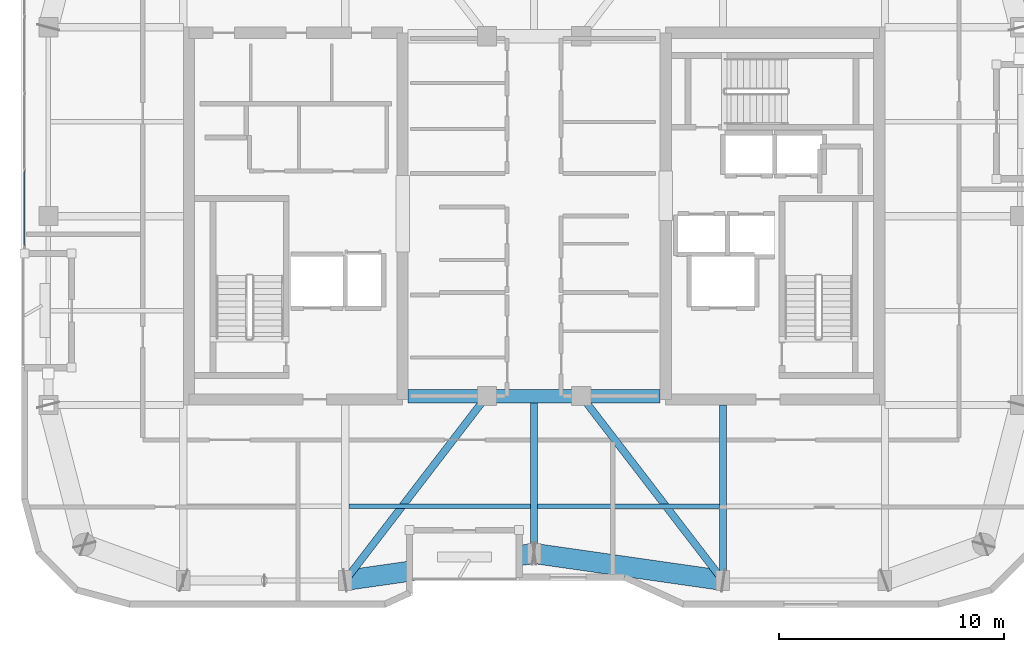
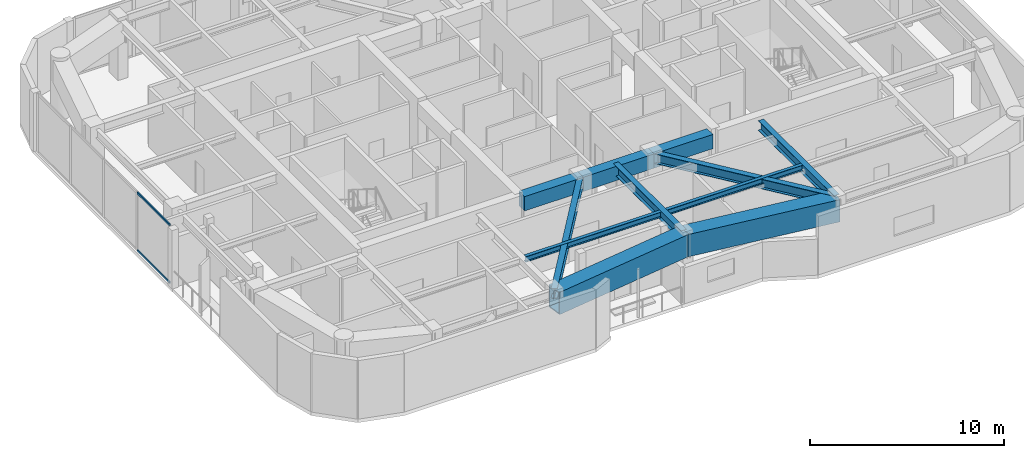
# One storey, part 3 of 16: 11 beams, 2 members, 1 element without a shape of its own.
"""IFC4 building model written with IfcOpenShell, lengths in metres."""

from ifc_helpers import new_model, si_unit, direction, frame, origin, origin_2d, place, context, subcontext, project, spatial, rectangle, hollow_rectangle, i_section, extrude, material, layer, layer_set, material_profile, profile_set, type_object, element, aggregate, save


model = new_model("IFC4")

# Units and contexts
model_context = context("Model", 3, precision=1e-05, world=origin(), true_north=direction((0.0, 1.0)))
body_context = subcontext(model_context, "Body", "Model", "MODEL_VIEW")
ifc_project = project(units=[si_unit("LENGTHUNIT", "METRE"), si_unit("AREAUNIT", "SQUARE_METRE"), si_unit("VOLUMEUNIT", "CUBIC_METRE"), si_unit("PLANEANGLEUNIT", "RADIAN"), si_unit("MASSUNIT", "GRAM", prefix="KILO")], contexts=[model_context])

# Site, building, storey
site_placement = place(None, origin())
site = spatial("IfcSite", under=ifc_project, at=site_placement, CompositionType="ELEMENT")
building_placement = place(site_placement, origin())
building = spatial("IfcBuilding", under=site, at=building_placement, Name="Kiyonajd Concourse Tower", CompositionType="ELEMENT")
storey_placement = place(building_placement, frame((0.0, 0.0, 325.800048828125)))
storey = spatial("IfcBuildingStorey", under=building, at=storey_placement, Name="L82", CompositionType="ELEMENT", Elevation=325.800048828125)

# Beams
ifc_material_1 = material(Name="Concrete C60/75", Category="concrete")
ifc_material_profile_1 = material_profile(ifc_material_1, rectangle(XDim=0.60009765625, YDim=0.89990234375, at=origin_2d()), Name="RCBM-600x900")
ifc_profile_set_1 = profile_set([ifc_material_profile_1], Name="Concrete C60/75")
beam_type_1 = type_object("IfcBeamType", Name="BM-COUP-900", PredefinedType="LINTEL", material=ifc_profile_set_1)
beam_1_placement = place(storey_placement, frame((42.39990234375, 28.0, 3.22998046875), z_axis=(1.0, 0.0, 0.0), x_axis=(0.0, 1.0, 0.0)))
element("IfcBeam", 1, at=beam_1_placement, inside=storey, type_object=beam_type_1, Name="L82 Core Coupling Beam S1", PredefinedType="LINTEL", context=body_context, shape_type="SweptSolid", body=[
    extrude(rectangle(XDim=0.60009765625, YDim=0.89990234375, at=origin_2d()), origin(), (0.0, 0.0, 1.0), 3.5),
])
beam_2_placement = place(storey_placement, frame((45.89990234375, 28.0, 3.22998046875), z_axis=(1.0, 0.0, 0.0), x_axis=(0.0, 1.0, 0.0)))
element("IfcBeam", 2, at=beam_2_placement, inside=storey, type_object=beam_type_1, Name="L82 Core Coupling Beam S2", PredefinedType="LINTEL", context=body_context, shape_type="SweptSolid", body=[
    extrude(rectangle(XDim=0.60009765625, YDim=0.89990234375, at=origin_2d()), origin(), (0.0, 0.0, 1.0), 4.2001953125),
])
beam_3_placement = place(storey_placement, frame((50.10009765625, 28.0, 3.22998046875), z_axis=(1.0, 0.0, 0.0), x_axis=(0.0, 1.0, 0.0)))
element("IfcBeam", 3, at=beam_3_placement, inside=storey, type_object=beam_type_1, Name="L82 Core Coupling Beam S3", PredefinedType="LINTEL", context=body_context, shape_type="SweptSolid", body=[
    extrude(rectangle(XDim=0.60009765625, YDim=0.89990234375, at=origin_2d()), origin(), (0.0, 0.0, 1.0), 3.5),
])
ifc_material_2 = material(Name="Steel ASTM A992 Grade 50", Category="steel")
ifc_material_profile_2 = material_profile(ifc_material_2, i_section(OverallWidth=0.205078125, OverallDepth=0.35400390625, WebThickness=0.009521484375, FlangeThickness=0.016845703125, at=origin_2d()), Name="W360X79")
ifc_profile_set_2 = profile_set([ifc_material_profile_2], Name="Steel ASTM A992 Grade 50")
beam_type_2 = type_object("IfcBeamType", Name="BM-JST-360", PredefinedType="JOIST", material=ifc_profile_set_2)
for number, where, z_axis, x_axis, name in (
    (4, (39.761962890625, 23.10009765625, 3.5029296875), (1.0, 0.0, 0.0), (0.0, 1.0, 0.0), "L82 Secondary Floor Joist"),
    (5, (48.162109375, 23.10009765625, 3.5029296875), (1.0, 0.0, 0.0), (0.0, 1.0, 0.0), "L82 Secondary Floor Joist"),
):
    element("IfcBeam", number, at=place(storey_placement, frame(where, z_axis=z_axis, x_axis=x_axis)), inside=storey, type_object=beam_type_2, Name=name, PredefinedType="JOIST", context=body_context, shape_type="SweptSolid", body=[
        extrude(i_section(OverallWidth=0.205078125, OverallDepth=0.35400390625, WebThickness=0.009521484375, FlangeThickness=0.016845703125, at=origin_2d()), origin(), (0.0, 0.0, 1.0), 8.075927734375),
    ])
ifc_material_profile_3 = material_profile(ifc_material_2, i_section(OverallWidth=0.326904296875, OverallDepth=0.6220703125, WebThickness=0.015380859375, FlangeThickness=0.0244140625, at=origin_2d()), Name="W610X195")
ifc_profile_set_3 = profile_set([ifc_material_profile_3], Name="Steel ASTM A992 Grade 50")
beam_type_3 = type_object("IfcBeamType", Name="BM-TWR-610A", PredefinedType="BEAM", material=ifc_profile_set_3)
for number, where, z_axis, x_axis, name in (
    (6, (39.60009765625, 19.800048828125, 3.368896484375), (0.609233709922, 0.792990722956, 0.0), (-0.792990722956, 0.609233709922, 0.0), "L82 Core Tie Girder"),
    (7, (50.10009765625, 28.0, 3.368896484375), (0.609233709922, -0.792990722956, 0.0), (0.792990722956, 0.609233709922, 0.0), "L82 Core Tie Girder"),
):
    element("IfcBeam", number, at=place(storey_placement, frame(where, z_axis=z_axis, x_axis=x_axis)), inside=storey, type_object=beam_type_3, Name=name, PredefinedType="BEAM", context=body_context, shape_type="SweptSolid", body=[
        extrude(i_section(OverallWidth=0.326904296875, OverallDepth=0.6220703125, WebThickness=0.015380859375, FlangeThickness=0.0244140625, at=origin_2d()), origin(), (0.0, 0.0, 1.0), 10.340576171875),
    ])
ifc_material_profile_4 = material_profile(ifc_material_2, i_section(OverallWidth=0.323974609375, OverallDepth=0.611083984375, WebThickness=0.0126953125, FlangeThickness=0.01904296875, at=origin_2d()), Name="W610X155")
ifc_profile_set_4 = profile_set([ifc_material_profile_4], Name="Steel ASTM A992 Grade 50")
beam_type_4 = type_object("IfcBeamType", Name="BM-TWR-610B", PredefinedType="BEAM", material=ifc_profile_set_4)
beam_4_placement = place(storey_placement, frame((56.39990234375, 19.800048828125, 3.37451171875), z_axis=(0.0, 1.0, 0.0), x_axis=(-1.0, 0.0, 0.0)))
element("IfcBeam", 8, at=beam_4_placement, inside=storey, type_object=beam_type_4, Name="L82 South Lease Girder", PredefinedType="BEAM", context=body_context, shape_type="SweptSolid", body=[
    extrude(i_section(OverallWidth=0.323974609375, OverallDepth=0.611083984375, WebThickness=0.0126953125, FlangeThickness=0.01904296875, at=origin_2d()), origin(), (0.0, 0.0, 1.0), 7.800048828125),
])
beam_5_placement = place(storey_placement, frame((48.0, 21.0, 3.37451171875), z_axis=(0.0, 1.0, 0.0), x_axis=(-1.0, 0.0, 0.0)))
element("IfcBeam", 9, at=beam_5_placement, inside=storey, type_object=beam_type_4, Name="L82 South Ribbon Girder", PredefinedType="BEAM", context=body_context, shape_type="SweptSolid", body=[
    extrude(i_section(OverallWidth=0.323974609375, OverallDepth=0.611083984375, WebThickness=0.0126953125, FlangeThickness=0.01904296875, at=origin_2d()), origin(), (0.0, 0.0, 1.0), 7.0),
])
ifc_material_3 = material(Name="Steel ASTM A572 Grade 50", Category="steel")
ifc_material_profile_5 = material_profile(ifc_material_3, hollow_rectangle(XDim=0.89990234375, YDim=1.39990234375, WallThickness=0.070068359375, at=origin_2d()), Name="BOX-1400x900x70")
ifc_profile_set_5 = profile_set([ifc_material_profile_5], Name="Steel ASTM A572 Grade 50")
beam_type_5 = type_object("IfcBeamType", Name="BM-XFER-1400", PredefinedType="BEAM", material=ifc_profile_set_5)
for number, where, z_axis, x_axis, name in (
    (10, (39.60009765625, 19.800048828125, 2.97998046875), (0.989950069105, 0.141417328072, 0.0), (-0.141417328072, 0.989950069105, 0.0), "L82 Perimeter Bundled Tube Spandrel"),
    (11, (48.0, 21.0, 2.97998046875), (0.989950069105, -0.141417328072, 0.0), (0.141417328072, 0.989950069105, 0.0), "L82 Perimeter Bundled Tube Spandrel"),
):
    element("IfcBeam", number, at=place(storey_placement, frame(where, z_axis=z_axis, x_axis=x_axis)), inside=storey, type_object=beam_type_5, Name=name, PredefinedType="BEAM", context=body_context, shape_type="SweptSolid", body=[
        extrude(hollow_rectangle(XDim=0.89990234375, YDim=1.39990234375, WallThickness=0.070068359375, at=origin_2d()), origin(), (0.0, 0.0, 1.0), 8.485107421875),
    ])

# Curtain wall, members
ifc_material_4 = material(Name="Thermally Broken Anodised Aluminium", Category="aluminium")
ifc_layer = layer(ifc_material_4, 0.179931640625)
ifc_layer_set = layer_set([ifc_layer], Name="Thermally Broken Anodised Aluminium")
curtain_wall_type = type_object("IfcCurtainWallType", Name="CW-SYS-04", PredefinedType="NOTDEFINED", material=ifc_layer_set)
curtain_wall_placement = place(storey_placement, origin())
curtain_wall = element("IfcCurtainWall", 12, at=curtain_wall_placement, inside=storey, type_object=curtain_wall_type, Name="L82 Unitised Curtain Wall CW4", PredefinedType="NOTDEFINED")
ifc_material_profile_6 = material_profile(ifc_material_4, hollow_rectangle(XDim=0.06494140625, YDim=0.139892578125, WallThickness=0.00390625, at=origin_2d()), Name="TRAN-65x140")
ifc_profile_set_6 = profile_set([ifc_material_profile_6], Name="Thermally Broken Anodised Aluminium")
member_type = type_object("IfcMemberType", Name="MB-CW-TRAN1", PredefinedType="USERDEFINED", material=ifc_profile_set_6)
member_1_placement = place(storey_placement, frame((25.340087890625, 34.695068359375, 0.032470703125), z_axis=(0.0, 1.0, 0.0), x_axis=(-1.0, 0.0, 0.0)))
member_1 = element("IfcMember", 13, at=member_1_placement, type_object=member_type, Name="CW4 transom 1.1", ObjectType="TRANSOM", PredefinedType="USERDEFINED", context=body_context, shape_type="SweptSolid", body=[
    extrude(hollow_rectangle(XDim=0.06494140625, YDim=0.139892578125, WallThickness=0.00390625, at=origin_2d()), origin(), (0.0, 0.0, 1.0), 3.31787109375),
])
member_2_placement = place(storey_placement, frame((25.340087890625, 34.695068359375, 3.6474609375), z_axis=(0.0, 1.0, 0.0), x_axis=(-1.0, 0.0, 0.0)))
member_2 = element("IfcMember", 14, at=member_2_placement, type_object=member_type, Name="CW4 transom 1.2", ObjectType="TRANSOM", PredefinedType="USERDEFINED", context=body_context, shape_type="SweptSolid", body=[
    extrude(hollow_rectangle(XDim=0.06494140625, YDim=0.139892578125, WallThickness=0.00390625, at=origin_2d()), origin(), (0.0, 0.0, 1.0), 3.31787109375),
])
aggregate(curtain_wall, [member_1, member_2])

save(model, "model.ifc")
